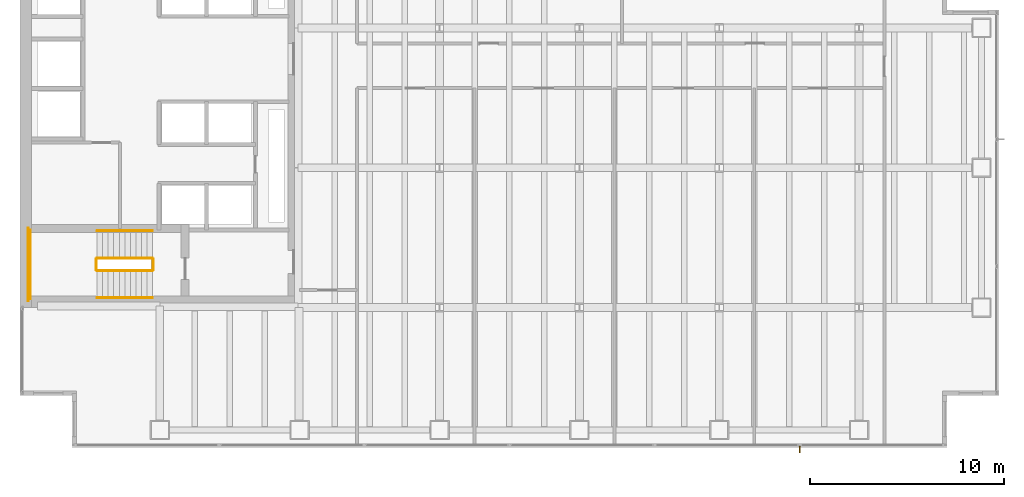
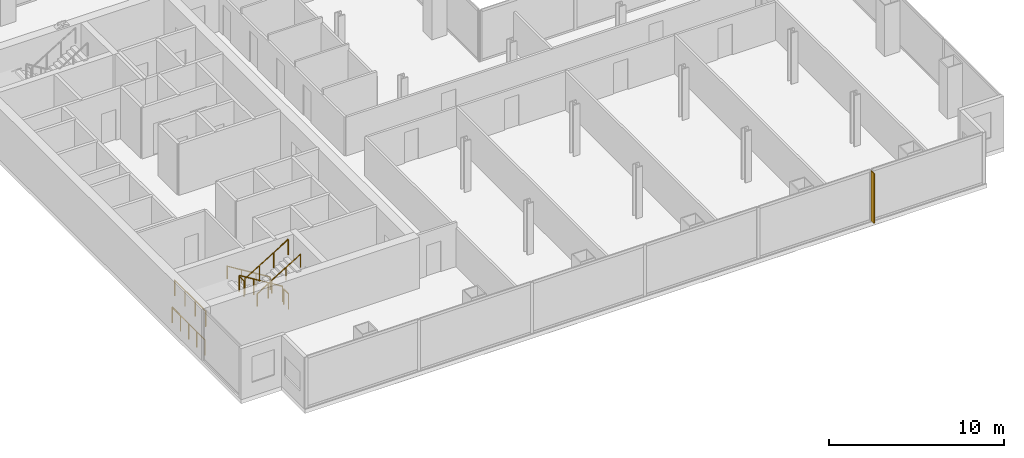
# One storey, part 23 of 25: 8 railings, 1 shading device.
"""IFC4 building model written with IfcOpenShell, lengths in metres."""

from ifc_helpers import new_model, si_unit, direction, frame, origin, origin_2d, place, context, subcontext, project, spatial, polyline, circle, outline, extrude, material, layer, layer_set, type_object, element, save


model = new_model("IFC4")

# Units and contexts
model_context = context("Model", 3, precision=1e-05, world=origin(), true_north=direction((0.0, 1.0)))
body_context = subcontext(model_context, "Body", "Model", "MODEL_VIEW")
ifc_project = project(units=[si_unit("LENGTHUNIT", "METRE"), si_unit("AREAUNIT", "SQUARE_METRE"), si_unit("VOLUMEUNIT", "CUBIC_METRE"), si_unit("PLANEANGLEUNIT", "RADIAN"), si_unit("MASSUNIT", "GRAM", prefix="KILO")], contexts=[model_context])

# Site, building, storey
site_placement = place(None, origin())
site = spatial("IfcSite", under=ifc_project, at=site_placement, CompositionType="ELEMENT")
building_placement = place(site_placement, origin())
building = spatial("IfcBuilding", under=site, at=building_placement, Name="Cobrela Telecom Tower", CompositionType="ELEMENT")
storey_placement = place(building_placement, frame((0.0, 0.0, 58.10009765625)))
storey = spatial("IfcBuildingStorey", under=building, at=storey_placement, Name="L14", CompositionType="ELEMENT", Elevation=58.10009765625)

# Railings
ifc_material_1 = material(Name="Steel ASTM A36", Category="steel")
railing_type_1 = type_object("IfcRailingType", Name="RAIL-GUARD-1100", PredefinedType="GUARDRAIL", material=ifc_material_1)
railing_1_placement = place(storey_placement, frame((6.820068359375, 9.75, 0.1748046875)))
element("IfcRailing", 1, at=railing_1_placement, inside=storey, type_object=railing_type_1, Name="L14 ST2 stair guard 1", PredefinedType="GUARDRAIL", context=body_context, shape_type="SweptSolid", body=[
    extrude(circle(Radius=0.02392578125, at=origin_2d()), frame((0.0, 0.0, 1.076171875), z_axis=(-0.852179220489, 0.0, 0.52325001306), x_axis=(0.0, -1.0, 0.0)), (0.0, 0.0, 1.0), 3.344482421875),
    extrude(circle(Radius=0.02099609375, at=origin_2d()), origin(), (0.0, 0.0, 1.0), 1.052001953125),
    extrude(circle(Radius=0.02099609375, at=origin_2d()), frame((-0.949951171875, 0.0, 0.583251953125)), (0.0, 0.0, 1.0), 1.052001953125),
    extrude(circle(Radius=0.02099609375, at=origin_2d()), frame((-1.900146484375, 0.0, 1.166748046875)), (0.0, 0.0, 1.0), 1.052001953125),
    extrude(circle(Radius=0.02099609375, at=origin_2d()), frame((-2.85009765625, 0.0, 1.75)), (0.0, 0.0, 1.0), 1.052001953125),
])
railing_2_placement = place(storey_placement, frame((3.919921875, 9.699951171875, 1.9248046875)))
element("IfcRailing", 2, at=railing_2_placement, inside=storey, type_object=railing_type_1, Name="L14 ST2 stair guard 2", PredefinedType="GUARDRAIL", context=body_context, shape_type="SweptSolid", body=[
    extrude(circle(Radius=0.02392578125, at=origin_2d()), frame((0.0, 0.0, 1.076171875), z_axis=(0.0, -1.0, 0.0), x_axis=(1.0, 0.0, 0.0)), (0.0, 0.0, 1.0), 0.550048828125),
    extrude(circle(Radius=0.02099609375, at=origin_2d()), origin(), (0.0, 0.0, 1.0), 1.052001953125),
    extrude(circle(Radius=0.02099609375, at=origin_2d()), frame((0.0, -0.550048828125, 0.0)), (0.0, 0.0, 1.0), 1.052001953125),
])
railing_3_placement = place(storey_placement, frame((0.530029296875, 11.199951171875, 1.9248046875)))
element("IfcRailing", 3, at=railing_3_placement, inside=storey, type_object=railing_type_1, Name="L14 ST2 stair guard 3", PredefinedType="GUARDRAIL", context=body_context, shape_type="SweptSolid", body=[
    extrude(circle(Radius=0.02392578125, at=origin_2d()), frame((0.0, 0.0, 1.076171875), z_axis=(0.0, -1.0, 0.0), x_axis=(1.0, 0.0, 0.0)), (0.0, 0.0, 1.0), 3.550048828125),
    extrude(circle(Radius=0.02099609375, at=origin_2d()), origin(), (0.0, 0.0, 1.0), 1.052001953125),
    extrude(circle(Radius=0.02099609375, at=origin_2d()), frame((0.0, -1.183349609375, 0.0)), (0.0, 0.0, 1.0), 1.052001953125),
    extrude(circle(Radius=0.02099609375, at=origin_2d()), frame((0.0, -2.36669921875, 0.0)), (0.0, 0.0, 1.0), 1.052001953125),
    extrude(circle(Radius=0.02099609375, at=origin_2d()), frame((0.0, -3.550048828125, 0.0)), (0.0, 0.0, 1.0), 1.052001953125),
])
railing_4_placement = place(storey_placement, frame((3.969970703125, 9.10009765625, 2.099853515625)))
element("IfcRailing", 4, at=railing_4_placement, inside=storey, type_object=railing_type_1, Name="L14 ST2 stair guard 4", PredefinedType="GUARDRAIL", context=body_context, shape_type="SweptSolid", body=[
    extrude(circle(Radius=0.02392578125, at=origin_2d()), frame((0.0, 0.0, 1.076171875), z_axis=(0.852179220489, 0.0, 0.52325001306), x_axis=(0.0, 1.0, 0.0)), (0.0, 0.0, 1.0), 3.344482421875),
    extrude(circle(Radius=0.02099609375, at=origin_2d()), origin(), (0.0, 0.0, 1.0), 1.052001953125),
    extrude(circle(Radius=0.02099609375, at=origin_2d()), frame((0.949951171875, 0.0, 0.583251953125)), (0.0, 0.0, 1.0), 1.052001953125),
    extrude(circle(Radius=0.02099609375, at=origin_2d()), frame((1.900146484375, 0.0, 1.166748046875)), (0.0, 0.0, 1.0), 1.052001953125),
    extrude(circle(Radius=0.02099609375, at=origin_2d()), frame((2.85009765625, 0.0, 1.75)), (0.0, 0.0, 1.0), 1.052001953125),
])
railing_5_placement = place(storey_placement, frame((6.8701171875, 9.699951171875, 0.0)))
element("IfcRailing", 5, at=railing_5_placement, inside=storey, type_object=railing_type_1, Name="L14 ST2 stair guard 5", PredefinedType="GUARDRAIL", context=body_context, shape_type="SweptSolid", body=[
    extrude(circle(Radius=0.02392578125, at=origin_2d()), frame((0.0, 0.0, 1.076171875), z_axis=(0.0, -1.0, 0.0), x_axis=(1.0, 0.0, 0.0)), (0.0, 0.0, 1.0), 0.550048828125),
    extrude(circle(Radius=0.02099609375, at=origin_2d()), origin(), (0.0, 0.0, 1.0), 1.052001953125),
    extrude(circle(Radius=0.02099609375, at=origin_2d()), frame((0.0, -0.550048828125, 0.0)), (0.0, 0.0, 1.0), 1.052001953125),
])
railing_6_placement = place(storey_placement, frame((0.429931640625, 11.300048828125, 0.0)))
element("IfcRailing", 6, at=railing_6_placement, inside=storey, type_object=railing_type_1, Name="L14 ST2 stair guard 6", PredefinedType="GUARDRAIL", context=body_context, shape_type="SweptSolid", body=[
    extrude(circle(Radius=0.02392578125, at=origin_2d()), frame((0.0, 0.0, 1.076171875), z_axis=(0.0, -1.0, 0.0), x_axis=(1.0, 0.0, 0.0)), (0.0, 0.0, 1.0), 3.75),
    extrude(circle(Radius=0.02099609375, at=origin_2d()), origin(), (0.0, 0.0, 1.0), 1.052001953125),
    extrude(circle(Radius=0.02099609375, at=origin_2d()), frame((0.0, -0.9375, 0.0)), (0.0, 0.0, 1.0), 1.052001953125),
    extrude(circle(Radius=0.02099609375, at=origin_2d()), frame((0.0, -1.875, 0.0)), (0.0, 0.0, 1.0), 1.052001953125),
    extrude(circle(Radius=0.02099609375, at=origin_2d()), frame((0.0, -2.8125, 0.0)), (0.0, 0.0, 1.0), 1.052001953125),
    extrude(circle(Radius=0.02099609375, at=origin_2d()), frame((0.0, -3.75, 0.0)), (0.0, 0.0, 1.0), 1.052001953125),
])
railing_type_2 = type_object("IfcRailingType", Name="RAIL-HAND-920", PredefinedType="HANDRAIL", material=ifc_material_1)
railing_7_placement = place(storey_placement, frame((6.820068359375, 11.14990234375, 0.1748046875)))
element("IfcRailing", 7, at=railing_7_placement, inside=storey, type_object=railing_type_2, Name="L14 ST2 stair handrail 1", PredefinedType="HANDRAIL", context=body_context, shape_type="SweptSolid", body=[
    extrude(circle(Radius=0.02392578125, at=origin_2d()), frame((0.0, 0.0, 0.8759765625), z_axis=(-0.852179220489, 0.0, 0.52325001306), x_axis=(0.0, -1.0, 0.0)), (0.0, 0.0, 1.0), 3.344482421875),
    extrude(circle(Radius=0.02099609375, at=origin_2d()), origin(), (0.0, 0.0, 1.0), 0.851806640625),
    extrude(circle(Radius=0.02099609375, at=origin_2d()), frame((-0.949951171875, 0.0, 0.583251953125)), (0.0, 0.0, 1.0), 0.851806640625),
    extrude(circle(Radius=0.02099609375, at=origin_2d()), frame((-1.900146484375, 0.0, 1.166748046875)), (0.0, 0.0, 1.0), 0.851806640625),
    extrude(circle(Radius=0.02099609375, at=origin_2d()), frame((-2.85009765625, 0.0, 1.75)), (0.0, 0.0, 1.0), 0.851806640625),
])
railing_8_placement = place(storey_placement, frame((3.969970703125, 7.699951171875, 2.099853515625)))
element("IfcRailing", 8, at=railing_8_placement, inside=storey, type_object=railing_type_2, Name="L14 ST2 stair handrail 2", PredefinedType="HANDRAIL", context=body_context, shape_type="SweptSolid", body=[
    extrude(circle(Radius=0.02392578125, at=origin_2d()), frame((0.0, 0.0, 0.8759765625), z_axis=(0.852179220489, 0.0, 0.52325001306), x_axis=(0.0, 1.0, 0.0)), (0.0, 0.0, 1.0), 3.344482421875),
    extrude(circle(Radius=0.02099609375, at=origin_2d()), origin(), (0.0, 0.0, 1.0), 0.851806640625),
    extrude(circle(Radius=0.02099609375, at=origin_2d()), frame((0.949951171875, 0.0, 0.583251953125)), (0.0, 0.0, 1.0), 0.851806640625),
    extrude(circle(Radius=0.02099609375, at=origin_2d()), frame((1.900146484375, 0.0, 1.166748046875)), (0.0, 0.0, 1.0), 0.851806640625),
    extrude(circle(Radius=0.02099609375, at=origin_2d()), frame((2.85009765625, 0.0, 1.75)), (0.0, 0.0, 1.0), 0.851806640625),
])

# Shading device
ifc_material_2 = material(Name="Anodized Bronze Aluminium 6063-T6", Category="aluminium")
ifc_layer = layer(ifc_material_2, 0.06005859375)
ifc_layer_set = layer_set([ifc_layer], Name="Anodized Bronze Aluminium 6063-T6")
shading_device_type = type_object("IfcShadingDeviceType", Name="SHD-FIN-BRZ", PredefinedType="USERDEFINED", material=ifc_layer_set)
shading_device_placement = place(storey_placement, frame((0.0, 0.0, 0.0498046875)))
element("IfcShadingDevice", 9, at=shading_device_placement, inside=storey, type_object=shading_device_type, Name="L14 Anodized Bronze Solar Fin 25", ObjectType="SUNSHADE", PredefinedType="USERDEFINED", context=body_context, shape_type="SweptSolid", body=[
    extrude(outline(polyline([(40.169921875, 0.080078125), (40.110107421875, 0.080078125), (40.110107421875, -0.260009765625), (40.169921875, -0.260009765625), (40.169921875, 0.080078125)])), origin(), (0.0, 0.0, 1.0), 3.47021484375),
])

save(model, "model.ifc")
